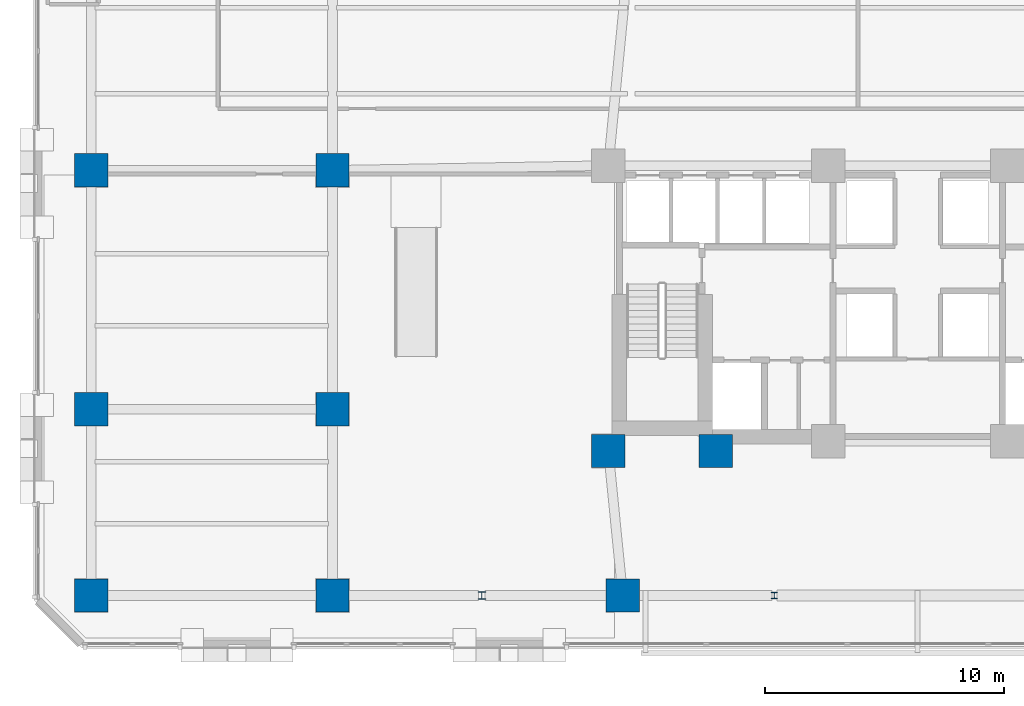
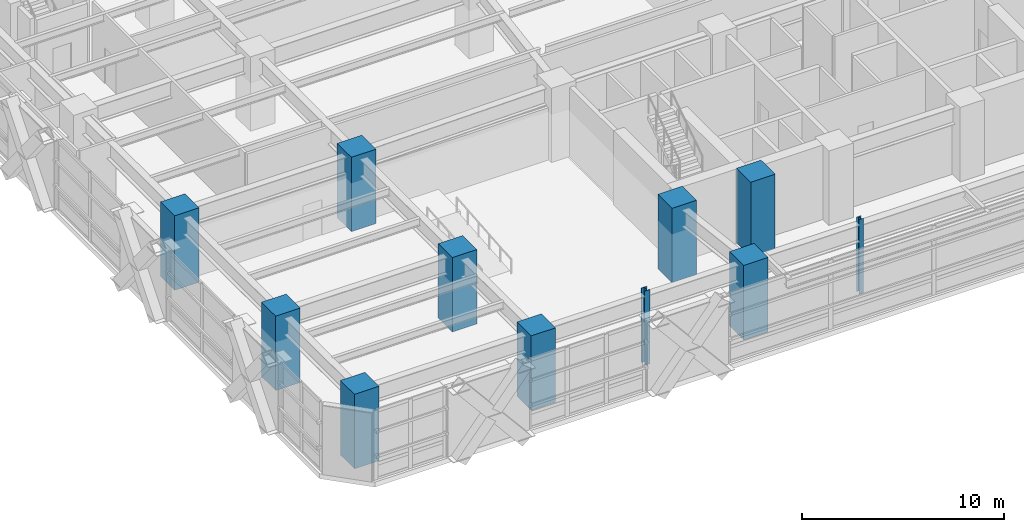
# One storey, part 1 of 30: 11 columns.
"""IFC4 building model written with IfcOpenShell, lengths in metres."""

from ifc_helpers import new_model, si_unit, direction, frame, origin, origin_2d, place, context, subcontext, project, spatial, rectangle, i_section, extrude, material, material_profile, profile_set, type_object, element, save


model = new_model("IFC4")

# Units and contexts
model_context = context("Model", 3, precision=1e-05, world=origin(), true_north=direction((0.0, 1.0)))
body_context = subcontext(model_context, "Body", "Model", "MODEL_VIEW")
ifc_project = project(units=[si_unit("LENGTHUNIT", "METRE"), si_unit("AREAUNIT", "SQUARE_METRE"), si_unit("VOLUMEUNIT", "CUBIC_METRE"), si_unit("PLANEANGLEUNIT", "RADIAN"), si_unit("MASSUNIT", "GRAM", prefix="KILO")], contexts=[model_context])

# Site, building, storey
site_placement = place(None, origin())
site = spatial("IfcSite", under=ifc_project, at=site_placement, CompositionType="ELEMENT")
building_placement = place(site_placement, origin())
building = spatial("IfcBuilding", under=site, at=building_placement, Name="Quenlor Broadcast Tower", CompositionType="ELEMENT")
storey_placement = place(building_placement, frame((0.0, 0.0, 9.5)))
storey = spatial("IfcBuildingStorey", under=building, at=storey_placement, Name="L02", CompositionType="ELEMENT", Elevation=9.5)

# Columns
ifc_material_1 = material(Name="Concrete C65/80", Category="concrete")
ifc_material_profile_1 = material_profile(ifc_material_1, rectangle(XDim=1.39990234375, YDim=1.39990234375, at=origin_2d()))
ifc_profile_set_1 = profile_set([ifc_material_profile_1], Name="Concrete C65/80 RC1400x1400")
column_type_1 = type_object("IfcColumnType", Name="Core Corner Column Lower Concrete C65/80 1400", PredefinedType="COLUMN", material=ifc_profile_set_1)
for number, where, z_axis, x_axis, name in (
    (1, (-12.949951171875, -16.75, 0.0), (0.0, 0.0, 1.0), (1.0, 0.0, 0.0), "L02 Core Column CC1"),
    (2, (-8.449951171875, -16.75, 0.0), (0.0, 0.0, 1.0), (1.0, 0.0, 0.0), "L02 Core Column CC2"),
):
    element("IfcColumn", number, at=place(storey_placement, frame(where, z_axis=z_axis, x_axis=x_axis)), inside=storey, type_object=column_type_1, Name=name, PredefinedType="COLUMN", context=body_context, shape_type="SweptSolid", body=[
        extrude(rectangle(XDim=1.39990234375, YDim=1.39990234375, at=origin_2d()), origin(), (0.0, 0.0, 1.0), 4.5),
    ])
ifc_material_2 = material(Name="Steel S355", Category="steel")
ifc_material_profile_2 = material_profile(ifc_material_2, i_section(OverallWidth=0.256103515625, OverallDepth=0.260009765625, WebThickness=0.010498046875, FlangeThickness=0.017333984375, FilletRadius=0.013916015625, at=origin_2d()))
ifc_profile_set_2 = profile_set([ifc_material_profile_2], Name="Steel S355 250UC89.5")
column_type_2 = type_object("IfcColumnType", Name="Podium Gallery Post Steel S355 250UC89.5", PredefinedType="COLUMN", material=ifc_profile_set_2)
column_1_placement = place(storey_placement, frame((-6.0, -22.800048828125, 0.0), z_axis=(0.0, 0.0, 1.0), x_axis=(1.0, 0.0, 0.0)))
element("IfcColumn", 3, at=column_1_placement, inside=storey, type_object=column_type_2, Name="L02 Station Steel Column SPW2", PredefinedType="COLUMN", context=body_context, shape_type="SweptSolid", body=[
    extrude(i_section(OverallWidth=0.256103515625, OverallDepth=0.260009765625, WebThickness=0.010498046875, FlangeThickness=0.017333984375, FilletRadius=0.013916015625, at=origin_2d()), origin(), (0.0, 0.0, 1.0), 4.5),
])
ifc_material_3 = material(Name="Concrete C65/80", Category="concrete")
ifc_material_profile_3 = material_profile(ifc_material_3, rectangle(XDim=1.39990234375, YDim=1.39990234375, at=origin_2d()))
ifc_profile_set_3 = profile_set([ifc_material_profile_3], Name="Concrete C65/80 RC1400x1400")
column_type_3 = type_object("IfcColumnType", Name="Podium Mega Column Concrete C65/80 1400", PredefinedType="COLUMN", material=ifc_profile_set_3)
for number, where, z_axis, x_axis, name in (
    (4, (-34.60009765625, -22.800048828125, 0.0), (0.0, 0.0, 1.0), (1.0, 0.0, 0.0), "L02 Podium Mega Column PM1"),
    (5, (-24.5, -22.800048828125, 0.0), (0.0, 0.0, 1.0), (1.0, 0.0, 0.0), "L02 Podium Mega Column PM2"),
    (6, (-12.35009765625, -22.800048828125, 0.0), (0.0, 0.0, 1.0), (1.0, 0.0, 0.0), "L02 Podium Mega Column PM3"),
    (7, (-34.60009765625, -15.0, 0.0), (0.0, 0.0, 1.0), (1.0, 0.0, 0.0), "L02 Podium Mega Column PM7"),
    (8, (-24.5, -15.0, 0.0), (0.0, 0.0, 1.0), (1.0, 0.0, 0.0), "L02 Podium Mega Column PM8"),
    (9, (-34.60009765625, -5.0, 0.0), (0.0, 0.0, 1.0), (1.0, 0.0, 0.0), "L02 Podium Mega Column PM11"),
    (10, (-24.5, -5.0, 0.0), (0.0, 0.0, 1.0), (1.0, 0.0, 0.0), "L02 Podium Mega Column PM12"),
):
    element("IfcColumn", number, at=place(storey_placement, frame(where, z_axis=z_axis, x_axis=x_axis)), inside=storey, type_object=column_type_3, Name=name, PredefinedType="COLUMN", context=body_context, shape_type="SweptSolid", body=[
        extrude(rectangle(XDim=1.39990234375, YDim=1.39990234375, at=origin_2d()), origin(), (0.0, 0.0, 1.0), 4.5),
    ])
ifc_material_4 = material(Name="Steel S355", Category="steel")
ifc_material_profile_4 = material_profile(ifc_material_4, i_section(OverallWidth=0.31103515625, OverallDepth=0.3271484375, WebThickness=0.015625, FlangeThickness=0.02490234375, FilletRadius=0.0166015625, at=origin_2d()))
ifc_profile_set_4 = profile_set([ifc_material_profile_4], Name="Steel S355 310UC158")
column_type_4 = type_object("IfcColumnType", Name="Podium Trim Post Steel S355 310UC158", PredefinedType="COLUMN", material=ifc_profile_set_4)
column_2_placement = place(storey_placement, frame((-18.25, -22.800048828125, 0.0), z_axis=(0.0, 0.0, 1.0), x_axis=(1.0, 0.0, 0.0)))
element("IfcColumn", 11, at=column_2_placement, inside=storey, type_object=column_type_4, Name="L02 Station Steel Column SPW1", PredefinedType="COLUMN", context=body_context, shape_type="SweptSolid", body=[
    extrude(i_section(OverallWidth=0.31103515625, OverallDepth=0.3271484375, WebThickness=0.015625, FlangeThickness=0.02490234375, FilletRadius=0.0166015625, at=origin_2d()), origin(), (0.0, 0.0, 1.0), 4.5),
])

save(model, "model.ifc")
